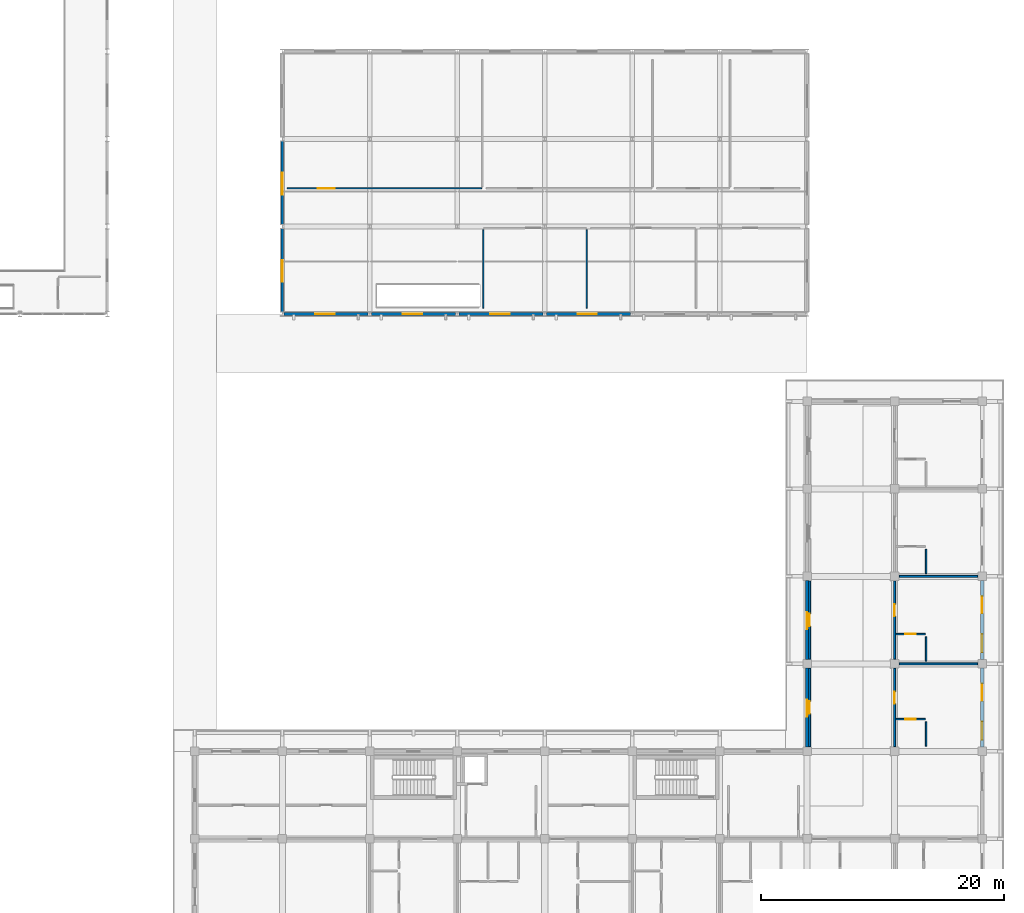
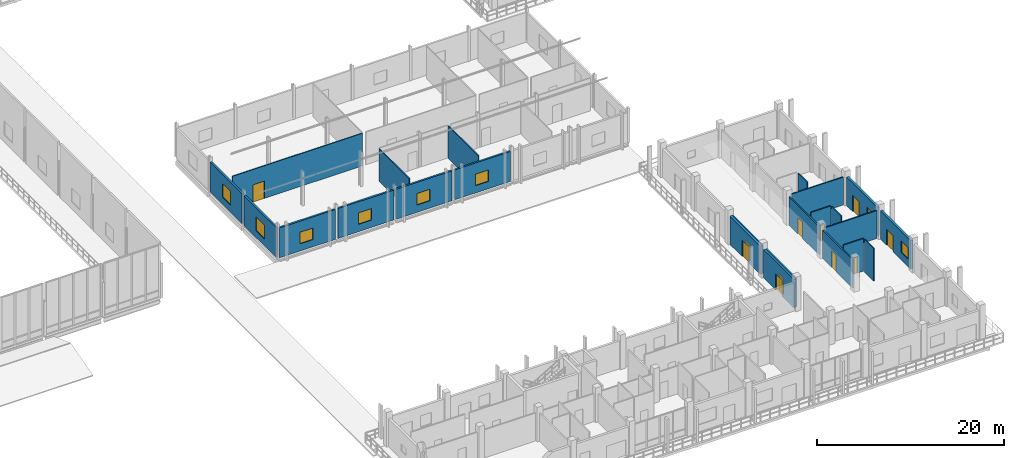
# One storey, part 84 of 110: 24 walls, 11 doors, 8 windows, 19 openings.
"""IFC4 building model written with IfcOpenShell, lengths in metres."""

from ifc_helpers import new_model, si_unit, direction, frame, frame_2d, origin, place, context, subcontext, project, spatial, rectangle, extrude, material, layer, layer_set, type_object, element, fill, save


model = new_model("IFC4")

# Units and contexts
model_context = context("Model", 3, precision=1e-05, world=origin(), true_north=direction((0.0, 1.0)))
body_context = subcontext(model_context, "Body", "Model", "MODEL_VIEW")
ifc_project = project(units=[si_unit("LENGTHUNIT", "METRE"), si_unit("AREAUNIT", "SQUARE_METRE"), si_unit("VOLUMEUNIT", "CUBIC_METRE"), si_unit("PLANEANGLEUNIT", "RADIAN"), si_unit("MASSUNIT", "GRAM", prefix="KILO")], contexts=[model_context])

# Site, building, storey
site_placement = place(None, origin())
site = spatial("IfcSite", under=ifc_project, at=site_placement, CompositionType="ELEMENT")
building_placement = place(site_placement, origin())
building = spatial("IfcBuilding", under=site, at=building_placement, Name="Suanplinth Sawtooth Commons", CompositionType="ELEMENT")
storey_placement = place(building_placement, frame((0.0, 0.0, 4.5)))
storey = spatial("IfcBuildingStorey", under=building, at=storey_placement, Name="L01", CompositionType="ELEMENT", Elevation=4.5)

# Wall, opening, door
ifc_material_1 = material(Name="Precast concrete C40/50", Category="concrete")
ifc_layer_1 = layer(ifc_material_1, 0.280029296875, Name="Insulated precast architectural facade wall 280mm")
ifc_layer_set_1 = layer_set([ifc_layer_1], Name="Precast concrete C40/50")
wall_type_1 = type_object("IfcWallType", Name="W-EX01", PredefinedType="ELEMENTEDWALL", material=ifc_layer_set_1)
wall_1_placement = place(storey_placement, frame((172.800048828125, 14.75, 0.0), z_axis=(0.0, 0.0, 1.0), x_axis=(0.0, 1.0, 0.0)))
wall_1 = element("IfcWall", 1, at=wall_1_placement, inside=storey, type_object=wall_type_1, Name="Facade Wall W-L01-C-W-24-2", PredefinedType="ELEMENTEDWALL", context=body_context, shape_type="SweptSolid", body=[
    extrude(rectangle(XDim=6.5, YDim=0.280029296875, at=frame_2d((3.25, 0.0))), origin(), (0.0, 0.0, 1.0), 3.68505859375),
])
opening_1_placement = place(wall_1_placement, frame((2.5, 0.0, 0.0)))
opening_1 = element("IfcOpeningElement", 2, at=opening_1_placement, cuts=wall_1, Name="Opening ED0097", PredefinedType="OPENING", context=body_context, shape_type="SweptSolid", body=[
    extrude(rectangle(XDim=1.39990234375, YDim=2.10009765625, at=frame_2d((0.699951171875, 1.050048828125))), frame((0.0, 0.15478515625, 0.0), z_axis=(0.0, -1.0, 0.0), x_axis=(1.0, 0.0, 0.0)), (0.0, 0.0, 1.0), 0.309814453125),
])
ifc_material_2 = material(Name="Anodized aluminium and low-E glass", Category="aluminium")
door_type_1 = type_object("IfcDoorType", Name="SD-07", OperationType="SLIDING_TO_RIGHT", PredefinedType="DOOR", material=ifc_material_2)
door_1_placement = place(opening_1_placement, frame((1.39990234375, 0.0, 0.0), z_axis=(0.0, 0.0, 1.0), x_axis=(-1.0, 0.0, 0.0)))
door_1 = element("IfcDoor", 3, at=door_1_placement, inside=storey, type_object=door_type_1, Name="Courtyard Veranda Studio Balcony Door L01-C-2", OperationType="SLIDING_TO_RIGHT", OverallHeight=2.10009765625, OverallWidth=1.39990234375, PredefinedType="DOOR", context=body_context, shape_type="SweptSolid", body=[
    extrude(rectangle(XDim=1.39990234375, YDim=2.10009765625, at=frame_2d((0.699951171875, 1.050048828125))), frame((0.0, 0.02490234375, 0.0), z_axis=(0.0, -1.0, 0.0), x_axis=(1.0, 0.0, 0.0)), (0.0, 0.0, 1.0), 0.050048828125),
])
fill(opening_1, door_1)

wall_2_placement = place(storey_placement, frame((172.800048828125, 21.949951171875, 0.0), z_axis=(0.0, 0.0, 1.0), x_axis=(0.0, 1.0, 0.0)))
wall_2 = element("IfcWall", 4, at=wall_2_placement, inside=storey, type_object=wall_type_1, Name="Facade Wall W-L01-C-W-24-3", PredefinedType="ELEMENTEDWALL", context=body_context, shape_type="SweptSolid", body=[
    extrude(rectangle(XDim=6.5, YDim=0.280029296875, at=frame_2d((3.25, 0.0))), origin(), (0.0, 0.0, 1.0), 3.68505859375),
])
opening_2_placement = place(wall_2_placement, frame((2.5, 0.0, 0.0)))
opening_2 = element("IfcOpeningElement", 5, at=opening_2_placement, cuts=wall_2, Name="Opening ED0098", PredefinedType="OPENING", context=body_context, shape_type="SweptSolid", body=[
    extrude(rectangle(XDim=1.39990234375, YDim=2.10009765625, at=frame_2d((0.699951171875, 1.050048828125))), frame((0.0, 0.15478515625, 0.0), z_axis=(0.0, -1.0, 0.0), x_axis=(1.0, 0.0, 0.0)), (0.0, 0.0, 1.0), 0.309814453125),
])
door_2_placement = place(opening_2_placement, frame((1.39990234375, 0.0, 0.0), z_axis=(0.0, 0.0, 1.0), x_axis=(-1.0, 0.0, 0.0)))
door_2 = element("IfcDoor", 6, at=door_2_placement, inside=storey, type_object=door_type_1, Name="Courtyard Veranda Studio Balcony Door L01-C-3", OperationType="SLIDING_TO_RIGHT", OverallHeight=2.10009765625, OverallWidth=1.39990234375, PredefinedType="DOOR", context=body_context, shape_type="SweptSolid", body=[
    extrude(rectangle(XDim=1.39990234375, YDim=2.10009765625, at=frame_2d((0.699951171875, 1.050048828125))), frame((0.0, 0.02490234375, 0.0), z_axis=(0.0, -1.0, 0.0), x_axis=(1.0, 0.0, 0.0)), (0.0, 0.0, 1.0), 0.050048828125),
])
fill(opening_2, door_2)

# Wall, openings, door, window
wall_3_placement = place(storey_placement, frame((187.199951171875, 14.75, 0.0), z_axis=(0.0, 0.0, 1.0), x_axis=(0.0, 1.0, 0.0)))
wall_3 = element("IfcWall", 7, at=wall_3_placement, inside=storey, type_object=wall_type_1, Name="Facade Wall W-L01-C-E-25-2", PredefinedType="ELEMENTEDWALL", context=body_context, shape_type="SweptSolid", body=[
    extrude(rectangle(XDim=6.5, YDim=0.280029296875, at=frame_2d((3.25, 0.0))), origin(), (0.0, 0.0, 1.0), 3.715087890625),
])
opening_3_placement = place(wall_3_placement, frame((3.800048828125, 0.0, 0.0)))
opening_3 = element("IfcOpeningElement", 8, at=opening_3_placement, cuts=wall_3, Name="Opening ED0104", PredefinedType="OPENING", context=body_context, shape_type="SweptSolid", body=[
    extrude(rectangle(XDim=1.39990234375, YDim=2.10009765625, at=frame_2d((0.699951171875, 1.050048828125))), frame((0.0, 0.15478515625, 0.0), z_axis=(0.0, -1.0, 0.0), x_axis=(1.0, 0.0, 0.0)), (0.0, 0.0, 1.0), 0.309814453125),
])
opening_4_placement = place(wall_3_placement, frame((0.60009765625, 0.0, 0.949951171875)))
opening_4 = element("IfcOpeningElement", 9, at=opening_4_placement, cuts=wall_3, Name="Opening W0226", PredefinedType="OPENING", context=body_context, shape_type="SweptSolid", body=[
    extrude(rectangle(XDim=1.5, YDim=1.5, at=frame_2d((0.75, 0.75))), frame((0.0, 0.15478515625, 0.0), z_axis=(0.0, -1.0, 0.0), x_axis=(1.0, 0.0, 0.0)), (0.0, 0.0, 1.0), 0.309814453125),
])
door_3_placement = place(opening_3_placement, frame((1.39990234375, 0.0, 0.0), z_axis=(0.0, 0.0, 1.0), x_axis=(-1.0, 0.0, 0.0)))
door_3 = element("IfcDoor", 10, at=door_3_placement, inside=storey, type_object=door_type_1, Name="Wing Balcony Sliding Door L01-C-2", OperationType="SLIDING_TO_RIGHT", OverallHeight=2.10009765625, OverallWidth=1.39990234375, PredefinedType="DOOR", context=body_context, shape_type="SweptSolid", body=[
    extrude(rectangle(XDim=1.39990234375, YDim=2.10009765625, at=frame_2d((0.699951171875, 1.050048828125))), frame((0.0, 0.02490234375, 0.0), z_axis=(0.0, -1.0, 0.0), x_axis=(1.0, 0.0, 0.0)), (0.0, 0.0, 1.0), 0.050048828125),
])
fill(opening_3, door_3)
ifc_material_3 = material(Name="Thermally broken aluminium and low-E double glazing", Category="aluminium")
window_type_1 = type_object("IfcWindowType", Name="WN-02", PartitioningType="DOUBLE_PANEL_VERTICAL", PredefinedType="WINDOW", material=ifc_material_3)
window_1_placement = place(opening_4_placement, origin())
window_1 = element("IfcWindow", 11, at=window_1_placement, inside=storey, type_object=window_type_1, Name="Wing Window L01-C-2", OverallHeight=1.5, OverallWidth=1.5, PartitioningType="DOUBLE_PANEL_VERTICAL", PredefinedType="WINDOW", context=body_context, shape_type="SweptSolid", body=[
    extrude(rectangle(XDim=1.5, YDim=1.5, at=frame_2d((0.75, 0.75))), frame((0.0, 0.030029296875, 0.0), z_axis=(0.0, -1.0, 0.0), x_axis=(1.0, 0.0, 0.0)), (0.0, 0.0, 1.0), 0.06005859375),
])
fill(opening_4, window_1)

wall_4_placement = place(storey_placement, frame((187.199951171875, 21.949951171875, 0.0), z_axis=(0.0, 0.0, 1.0), x_axis=(0.0, 1.0, 0.0)))
wall_4 = element("IfcWall", 12, at=wall_4_placement, inside=storey, type_object=wall_type_1, Name="Facade Wall W-L01-C-E-25-3", PredefinedType="ELEMENTEDWALL", context=body_context, shape_type="SweptSolid", body=[
    extrude(rectangle(XDim=6.5, YDim=0.280029296875, at=frame_2d((3.25, 0.0))), origin(), (0.0, 0.0, 1.0), 3.715087890625),
])
opening_5_placement = place(wall_4_placement, frame((3.800048828125, 0.0, 0.0)))
opening_5 = element("IfcOpeningElement", 13, at=opening_5_placement, cuts=wall_4, Name="Opening ED0105", PredefinedType="OPENING", context=body_context, shape_type="SweptSolid", body=[
    extrude(rectangle(XDim=1.39990234375, YDim=2.10009765625, at=frame_2d((0.699951171875, 1.050048828125))), frame((0.0, 0.15478515625, 0.0), z_axis=(0.0, -1.0, 0.0), x_axis=(1.0, 0.0, 0.0)), (0.0, 0.0, 1.0), 0.309814453125),
])
opening_6_placement = place(wall_4_placement, frame((0.60009765625, 0.0, 0.949951171875)))
opening_6 = element("IfcOpeningElement", 14, at=opening_6_placement, cuts=wall_4, Name="Opening W0227", PredefinedType="OPENING", context=body_context, shape_type="SweptSolid", body=[
    extrude(rectangle(XDim=1.5, YDim=1.5, at=frame_2d((0.75, 0.75))), frame((0.0, 0.15478515625, 0.0), z_axis=(0.0, -1.0, 0.0), x_axis=(1.0, 0.0, 0.0)), (0.0, 0.0, 1.0), 0.309814453125),
])
door_4_placement = place(opening_5_placement, frame((1.39990234375, 0.0, 0.0), z_axis=(0.0, 0.0, 1.0), x_axis=(-1.0, 0.0, 0.0)))
door_4 = element("IfcDoor", 15, at=door_4_placement, inside=storey, type_object=door_type_1, Name="Wing Balcony Sliding Door L01-C-3", OperationType="SLIDING_TO_RIGHT", OverallHeight=2.10009765625, OverallWidth=1.39990234375, PredefinedType="DOOR", context=body_context, shape_type="SweptSolid", body=[
    extrude(rectangle(XDim=1.39990234375, YDim=2.10009765625, at=frame_2d((0.699951171875, 1.050048828125))), frame((0.0, 0.02490234375, 0.0), z_axis=(0.0, -1.0, 0.0), x_axis=(1.0, 0.0, 0.0)), (0.0, 0.0, 1.0), 0.050048828125),
])
fill(opening_5, door_4)
window_2_placement = place(opening_6_placement, origin())
window_2 = element("IfcWindow", 16, at=window_2_placement, inside=storey, type_object=window_type_1, Name="Wing Window L01-C-3", OverallHeight=1.5, OverallWidth=1.5, PartitioningType="DOUBLE_PANEL_VERTICAL", PredefinedType="WINDOW", context=body_context, shape_type="SweptSolid", body=[
    extrude(rectangle(XDim=1.5, YDim=1.5, at=frame_2d((0.75, 0.75))), frame((0.0, 0.030029296875, 0.0), z_axis=(0.0, -1.0, 0.0), x_axis=(1.0, 0.0, 0.0)), (0.0, 0.0, 1.0), 0.06005859375),
])
fill(opening_6, window_2)

# Wall, opening, window
ifc_layer_2 = layer(ifc_material_1, 0.219970703125, Name="Civic pavilion insulated facade wall 220mm")
ifc_layer_set_2 = layer_set([ifc_layer_2], Name="Precast concrete C40/50")
wall_type_2 = type_object("IfcWallType", Name="W-EX05", PredefinedType="ELEMENTEDWALL", material=ifc_layer_set_2)
wall_5_placement = place(storey_placement, frame((129.75, 50.39990234375, 0.0), z_axis=(0.0, 0.0, 1.0), x_axis=(1.0, 0.0, 0.0)))
wall_5 = element("IfcWall", 17, at=wall_5_placement, inside=storey, type_object=wall_type_2, Name="Clinic S Wall L01-18", PredefinedType="ELEMENTEDWALL", context=body_context, shape_type="SweptSolid", body=[
    extrude(rectangle(XDim=6.89990234375, YDim=0.219970703125, at=frame_2d((3.449951171875, 0.0))), origin(), (0.0, 0.0, 1.0), 3.89990234375),
])
opening_7_placement = place(wall_5_placement, frame((2.550048828125, 0.0, 0.949951171875)))
opening_7 = element("IfcOpeningElement", 18, at=opening_7_placement, cuts=wall_5, Name="Opening W0027", PredefinedType="OPENING", context=body_context, shape_type="SweptSolid", body=[
    extrude(rectangle(XDim=1.60009765625, YDim=1.5, at=frame_2d((0.800048828125, 0.75))), frame((0.0, 0.125, 0.0), z_axis=(0.0, -1.0, 0.0), x_axis=(1.0, 0.0, 0.0)), (0.0, 0.0, 1.0), 0.249755859375),
])
window_type_2 = type_object("IfcWindowType", Name="WN-08", PartitioningType="DOUBLE_PANEL_VERTICAL", PredefinedType="WINDOW", material=ifc_material_3)
window_3_placement = place(opening_7_placement, origin())
window_3 = element("IfcWindow", 19, at=window_3_placement, inside=storey, type_object=window_type_2, Name="Clinic Window S-18", OverallHeight=1.5, OverallWidth=1.60009765625, PartitioningType="DOUBLE_PANEL_VERTICAL", PredefinedType="WINDOW", context=body_context, shape_type="SweptSolid", body=[
    extrude(rectangle(XDim=1.60009765625, YDim=1.5, at=frame_2d((0.800048828125, 0.75))), frame((0.0, 0.030029296875, 0.0), z_axis=(0.0, -1.0, 0.0), x_axis=(1.0, 0.0, 0.0)), (0.0, 0.0, 1.0), 0.06005859375),
])
fill(opening_7, window_3)

wall_6_placement = place(storey_placement, frame((136.949951171875, 50.39990234375, 0.0), z_axis=(0.0, 0.0, 1.0), x_axis=(1.0, 0.0, 0.0)))
wall_6 = element("IfcWall", 20, at=wall_6_placement, inside=storey, type_object=wall_type_2, Name="Clinic S Wall L01-19", PredefinedType="ELEMENTEDWALL", context=body_context, shape_type="SweptSolid", body=[
    extrude(rectangle(XDim=6.900146484375, YDim=0.219970703125, at=frame_2d((3.4501953125, 0.0))), origin(), (0.0, 0.0, 1.0), 3.89990234375),
])
opening_8_placement = place(wall_6_placement, frame((2.550048828125, 0.0, 0.949951171875)))
opening_8 = element("IfcOpeningElement", 21, at=opening_8_placement, cuts=wall_6, Name="Opening W0029", PredefinedType="OPENING", context=body_context, shape_type="SweptSolid", body=[
    extrude(rectangle(XDim=1.60009765625, YDim=1.5, at=frame_2d((0.800048828125, 0.75))), frame((0.0, 0.125, 0.0), z_axis=(0.0, -1.0, 0.0), x_axis=(1.0, 0.0, 0.0)), (0.0, 0.0, 1.0), 0.249755859375),
])
window_4_placement = place(opening_8_placement, origin())
window_4 = element("IfcWindow", 22, at=window_4_placement, inside=storey, type_object=window_type_2, Name="Clinic Window S-19", OverallHeight=1.5, OverallWidth=1.60009765625, PartitioningType="DOUBLE_PANEL_VERTICAL", PredefinedType="WINDOW", context=body_context, shape_type="SweptSolid", body=[
    extrude(rectangle(XDim=1.60009765625, YDim=1.5, at=frame_2d((0.800048828125, 0.75))), frame((0.0, 0.030029296875, 0.0), z_axis=(0.0, -1.0, 0.0), x_axis=(1.0, 0.0, 0.0)), (0.0, 0.0, 1.0), 0.06005859375),
])
fill(opening_8, window_4)

wall_7_placement = place(storey_placement, frame((144.14990234375, 50.39990234375, 0.0), z_axis=(0.0, 0.0, 1.0), x_axis=(1.0, 0.0, 0.0)))
wall_7 = element("IfcWall", 23, at=wall_7_placement, inside=storey, type_object=wall_type_2, Name="Clinic S Wall L01-20", PredefinedType="ELEMENTEDWALL", context=body_context, shape_type="SweptSolid", body=[
    extrude(rectangle(XDim=6.900146484375, YDim=0.219970703125, at=frame_2d((3.4501953125, 0.0))), origin(), (0.0, 0.0, 1.0), 3.89990234375),
])
opening_9_placement = place(wall_7_placement, frame((2.550048828125, 0.0, 0.949951171875)))
opening_9 = element("IfcOpeningElement", 24, at=opening_9_placement, cuts=wall_7, Name="Opening W0032", PredefinedType="OPENING", context=body_context, shape_type="SweptSolid", body=[
    extrude(rectangle(XDim=1.60009765625, YDim=1.5, at=frame_2d((0.800048828125, 0.75))), frame((0.0, 0.125, 0.0), z_axis=(0.0, -1.0, 0.0), x_axis=(1.0, 0.0, 0.0)), (0.0, 0.0, 1.0), 0.249755859375),
])
window_5_placement = place(opening_9_placement, origin())
window_5 = element("IfcWindow", 25, at=window_5_placement, inside=storey, type_object=window_type_2, Name="Clinic Window S-20", OverallHeight=1.5, OverallWidth=1.60009765625, PartitioningType="DOUBLE_PANEL_VERTICAL", PredefinedType="WINDOW", context=body_context, shape_type="SweptSolid", body=[
    extrude(rectangle(XDim=1.60009765625, YDim=1.5, at=frame_2d((0.800048828125, 0.75))), frame((0.0, 0.030029296875, 0.0), z_axis=(0.0, -1.0, 0.0), x_axis=(1.0, 0.0, 0.0)), (0.0, 0.0, 1.0), 0.06005859375),
])
fill(opening_9, window_5)

wall_8_placement = place(storey_placement, frame((151.35009765625, 50.39990234375, 0.0), z_axis=(0.0, 0.0, 1.0), x_axis=(1.0, 0.0, 0.0)))
wall_8 = element("IfcWall", 26, at=wall_8_placement, inside=storey, type_object=wall_type_2, Name="Clinic S Wall L01-21", PredefinedType="ELEMENTEDWALL", context=body_context, shape_type="SweptSolid", body=[
    extrude(rectangle(XDim=6.89990234375, YDim=0.219970703125, at=frame_2d((3.449951171875, 0.0))), origin(), (0.0, 0.0, 1.0), 3.89990234375),
])
opening_10_placement = place(wall_8_placement, frame((2.550048828125, 0.0, 0.949951171875)))
opening_10 = element("IfcOpeningElement", 27, at=opening_10_placement, cuts=wall_8, Name="Opening W0035", PredefinedType="OPENING", context=body_context, shape_type="SweptSolid", body=[
    extrude(rectangle(XDim=1.60009765625, YDim=1.5, at=frame_2d((0.800048828125, 0.75))), frame((0.0, 0.125, 0.0), z_axis=(0.0, -1.0, 0.0), x_axis=(1.0, 0.0, 0.0)), (0.0, 0.0, 1.0), 0.249755859375),
])
window_6_placement = place(opening_10_placement, origin())
window_6 = element("IfcWindow", 28, at=window_6_placement, inside=storey, type_object=window_type_2, Name="Clinic Window S-21", OverallHeight=1.5, OverallWidth=1.60009765625, PartitioningType="DOUBLE_PANEL_VERTICAL", PredefinedType="WINDOW", context=body_context, shape_type="SweptSolid", body=[
    extrude(rectangle(XDim=1.60009765625, YDim=1.5, at=frame_2d((0.800048828125, 0.75))), frame((0.0, 0.030029296875, 0.0), z_axis=(0.0, -1.0, 0.0), x_axis=(1.0, 0.0, 0.0)), (0.0, 0.0, 1.0), 0.06005859375),
])
fill(opening_10, window_6)

wall_9_placement = place(storey_placement, frame((129.60009765625, 50.580078125, 0.0), z_axis=(0.0, 0.0, 1.0), x_axis=(0.0, 1.0, 0.0)))
wall_9 = element("IfcWall", 29, at=wall_9_placement, inside=storey, type_object=wall_type_2, Name="Nursery W Wall L01-7", PredefinedType="ELEMENTEDWALL", context=body_context, shape_type="SweptSolid", body=[
    extrude(rectangle(XDim=6.83984375, YDim=0.219970703125, at=frame_2d((3.419921875, 0.0))), origin(), (0.0, 0.0, 1.0), 3.89990234375),
])
opening_11_placement = place(wall_9_placement, frame((2.449951171875, 0.0, 0.89990234375)))
opening_11 = element("IfcOpeningElement", 30, at=opening_11_placement, cuts=wall_9, Name="Opening W0043", PredefinedType="OPENING", context=body_context, shape_type="SweptSolid", body=[
    extrude(rectangle(XDim=1.800048828125, YDim=1.800048828125, at=frame_2d((0.89990234375, 0.89990234375))), frame((0.0, 0.125, 0.0), z_axis=(0.0, -1.0, 0.0), x_axis=(1.0, 0.0, 0.0)), (0.0, 0.0, 1.0), 0.249755859375),
])
window_type_3 = type_object("IfcWindowType", Name="WN-07", PartitioningType="DOUBLE_PANEL_VERTICAL", PredefinedType="WINDOW", material=ifc_material_3)
window_7_placement = place(opening_11_placement, origin())
window_7 = element("IfcWindow", 31, at=window_7_placement, inside=storey, type_object=window_type_3, Name="Nursery W Window L01-7", OverallHeight=1.800048828125, OverallWidth=1.800048828125, PartitioningType="DOUBLE_PANEL_VERTICAL", PredefinedType="WINDOW", context=body_context, shape_type="SweptSolid", body=[
    extrude(rectangle(XDim=1.800048828125, YDim=1.800048828125, at=frame_2d((0.89990234375, 0.89990234375))), frame((0.0, 0.030029296875, 0.0), z_axis=(0.0, -1.0, 0.0), x_axis=(1.0, 0.0, 0.0)), (0.0, 0.0, 1.0), 0.06005859375),
])
fill(opening_11, window_7)

wall_10_placement = place(storey_placement, frame((129.60009765625, 57.780029296875, 0.0), z_axis=(0.0, 0.0, 1.0), x_axis=(0.0, 1.0, 0.0)))
wall_10 = element("IfcWall", 32, at=wall_10_placement, inside=storey, type_object=wall_type_2, Name="Nursery W Wall L01-8", PredefinedType="ELEMENTEDWALL", context=body_context, shape_type="SweptSolid", body=[
    extrude(rectangle(XDim=6.840087890625, YDim=0.219970703125, at=frame_2d((3.419921875, 0.0))), origin(), (0.0, 0.0, 1.0), 3.89990234375),
])
opening_12_placement = place(wall_10_placement, frame((2.449951171875, 0.0, 0.89990234375)))
opening_12 = element("IfcOpeningElement", 33, at=opening_12_placement, cuts=wall_10, Name="Opening W0047", PredefinedType="OPENING", context=body_context, shape_type="SweptSolid", body=[
    extrude(rectangle(XDim=1.800048828125, YDim=1.800048828125, at=frame_2d((0.89990234375, 0.89990234375))), frame((0.0, 0.125, 0.0), z_axis=(0.0, -1.0, 0.0), x_axis=(1.0, 0.0, 0.0)), (0.0, 0.0, 1.0), 0.249755859375),
])
window_8_placement = place(opening_12_placement, origin())
window_8 = element("IfcWindow", 34, at=window_8_placement, inside=storey, type_object=window_type_3, Name="Nursery W Window L01-8", OverallHeight=1.800048828125, OverallWidth=1.800048828125, PartitioningType="DOUBLE_PANEL_VERTICAL", PredefinedType="WINDOW", context=body_context, shape_type="SweptSolid", body=[
    extrude(rectangle(XDim=1.800048828125, YDim=1.800048828125, at=frame_2d((0.89990234375, 0.89990234375))), frame((0.0, 0.030029296875, 0.0), z_axis=(0.0, -1.0, 0.0), x_axis=(1.0, 0.0, 0.0)), (0.0, 0.0, 1.0), 0.06005859375),
])
fill(opening_12, window_8)

# Wall, opening, door
ifc_layer_3 = layer(ifc_material_1, 0.159912109375, Name="Fire-rated corridor and lobby wall 160mm")
ifc_layer_set_3 = layer_set([ifc_layer_3], Name="Precast concrete C40/50")
wall_type_3 = type_object("IfcWallType", Name="W-FW01", PredefinedType="PARTITIONING", material=ifc_layer_set_3)
wall_11_placement = place(storey_placement, frame((180.0, 14.780029296875, 0.0), z_axis=(0.0, 0.0, 1.0), x_axis=(0.0, 1.0, 0.0)))
wall_11 = element("IfcWall", 35, at=wall_11_placement, inside=storey, type_object=wall_type_3, Name="W-C-L01-L01-COR", PredefinedType="PARTITIONING", context=body_context, shape_type="SweptSolid", body=[
    extrude(rectangle(XDim=6.43994140625, YDim=0.159912109375, at=frame_2d((3.219970703125, 0.0))), origin(), (0.0, 0.0, 1.0), 3.68505859375),
])
opening_13_placement = place(wall_11_placement, frame((3.52001953125, 0.0, 0.0)))
opening_13 = element("IfcOpeningElement", 36, at=opening_13_placement, cuts=wall_11, Name="Opening FD0639", PredefinedType="OPENING", context=body_context, shape_type="SweptSolid", body=[
    extrude(rectangle(XDim=1.0, YDim=2.14990234375, at=frame_2d((0.5, 1.074951171875))), frame((0.0, 0.0947265625, 0.0), z_axis=(0.0, -1.0, 0.0), x_axis=(1.0, 0.0, 0.0)), (0.0, 0.0, 1.0), 0.189697265625),
])
ifc_material_4 = material(Name="Teak hardwood fire-rated door assembly", Category="wood")
door_type_2 = type_object("IfcDoorType", Name="FD-03", OperationType="NOTDEFINED", PredefinedType="DOOR", material=ifc_material_4)
door_5_placement = place(opening_13_placement, frame((1.0, 0.0, 0.0), z_axis=(0.0, 0.0, 1.0), x_axis=(-1.0, 0.0, 0.0)))
door_5 = element("IfcDoor", 37, at=door_5_placement, inside=storey, type_object=door_type_2, Name="Wing Unit Entrance Door FD0639", OperationType="SINGLE_SWING_LEFT", OverallHeight=2.14990234375, OverallWidth=1.0, PredefinedType="DOOR", context=body_context, shape_type="SweptSolid", body=[
    extrude(rectangle(XDim=1.0, YDim=2.14990234375, at=frame_2d((0.5, 1.074951171875))), frame((0.0, 0.02490234375, 0.0), z_axis=(0.0, -1.0, 0.0), x_axis=(1.0, 0.0, 0.0)), (0.0, 0.0, 1.0), 0.050048828125),
])
fill(opening_13, door_5)

wall_12_placement = place(storey_placement, frame((173.0, 14.780029296875, 0.0), z_axis=(0.0, 0.0, 1.0), x_axis=(0.0, 1.0, 0.0)))
wall_12 = element("IfcWall", 38, at=wall_12_placement, inside=storey, type_object=wall_type_3, Name="W-C-L01-LEGCOURTROOM-52-COR", PredefinedType="PARTITIONING", context=body_context, shape_type="SweptSolid", body=[
    extrude(rectangle(XDim=6.43994140625, YDim=0.159912109375, at=frame_2d((3.219970703125, 0.0))), origin(), (0.0, 0.0, 1.0), 3.68505859375),
])
opening_14_placement = place(wall_12_placement, frame((2.7099609375, 0.0, 0.0)))
opening_14 = element("IfcOpeningElement", 39, at=opening_14_placement, cuts=wall_12, Name="Opening D0641", PredefinedType="OPENING", context=body_context, shape_type="SweptSolid", body=[
    extrude(rectangle(XDim=1.02001953125, YDim=2.179931640625, at=frame_2d((0.510009765625, 1.08984375))), frame((0.0, 0.0947265625, 0.0), z_axis=(0.0, -1.0, 0.0), x_axis=(1.0, 0.0, 0.0)), (0.0, 0.0, 1.0), 0.189697265625),
])
ifc_material_5 = material(Name="Teak hardwood", Category="wood")
door_type_3 = type_object("IfcDoorType", Name="D-16", OperationType="NOTDEFINED", PredefinedType="DOOR", material=ifc_material_5)
door_6_placement = place(opening_14_placement, origin())
door_6 = element("IfcDoor", 40, at=door_6_placement, inside=storey, type_object=door_type_3, Name="Veranda Studio Door D0641", OperationType="SINGLE_SWING_LEFT", OverallHeight=2.179931640625, OverallWidth=1.02001953125, PredefinedType="DOOR", context=body_context, shape_type="SweptSolid", body=[
    extrude(rectangle(XDim=1.02001953125, YDim=2.179931640625, at=frame_2d((0.510009765625, 1.08984375))), frame((0.0, 0.02490234375, 0.0), z_axis=(0.0, -1.0, 0.0), x_axis=(1.0, 0.0, 0.0)), (0.0, 0.0, 1.0), 0.050048828125),
])
fill(opening_14, door_6)

wall_13_placement = place(storey_placement, frame((180.0, 21.97998046875, 0.0), z_axis=(0.0, 0.0, 1.0), x_axis=(0.0, 1.0, 0.0)))
wall_13 = element("IfcWall", 41, at=wall_13_placement, inside=storey, type_object=wall_type_3, Name="W-C-L01-L02-COR", PredefinedType="PARTITIONING", context=body_context, shape_type="SweptSolid", body=[
    extrude(rectangle(XDim=6.43994140625, YDim=0.159912109375, at=frame_2d((3.219970703125, 0.0))), origin(), (0.0, 0.0, 1.0), 3.68505859375),
])
opening_15_placement = place(wall_13_placement, frame((3.52001953125, 0.0, 0.0)))
opening_15 = element("IfcOpeningElement", 42, at=opening_15_placement, cuts=wall_13, Name="Opening FD0642", PredefinedType="OPENING", context=body_context, shape_type="SweptSolid", body=[
    extrude(rectangle(XDim=1.0, YDim=2.14990234375, at=frame_2d((0.5, 1.074951171875))), frame((0.0, 0.0947265625, 0.0), z_axis=(0.0, -1.0, 0.0), x_axis=(1.0, 0.0, 0.0)), (0.0, 0.0, 1.0), 0.189697265625),
])
door_7_placement = place(opening_15_placement, frame((1.0, 0.0, 0.0), z_axis=(0.0, 0.0, 1.0), x_axis=(-1.0, 0.0, 0.0)))
door_7 = element("IfcDoor", 43, at=door_7_placement, inside=storey, type_object=door_type_2, Name="Wing Unit Entrance Door FD0642", OperationType="SINGLE_SWING_RIGHT", OverallHeight=2.14990234375, OverallWidth=1.0, PredefinedType="DOOR", context=body_context, shape_type="SweptSolid", body=[
    extrude(rectangle(XDim=1.0, YDim=2.14990234375, at=frame_2d((0.5, 1.074951171875))), frame((0.0, 0.02490234375, 0.0), z_axis=(0.0, -1.0, 0.0), x_axis=(1.0, 0.0, 0.0)), (0.0, 0.0, 1.0), 0.050048828125),
])
fill(opening_15, door_7)

wall_14_placement = place(storey_placement, frame((173.0, 21.97998046875, 0.0), z_axis=(0.0, 0.0, 1.0), x_axis=(0.0, 1.0, 0.0)))
wall_14 = element("IfcWall", 44, at=wall_14_placement, inside=storey, type_object=wall_type_3, Name="W-C-L01-LEGCOURTROOM-54-COR", PredefinedType="PARTITIONING", context=body_context, shape_type="SweptSolid", body=[
    extrude(rectangle(XDim=6.43994140625, YDim=0.159912109375, at=frame_2d((3.219970703125, 0.0))), origin(), (0.0, 0.0, 1.0), 3.68505859375),
])
opening_16_placement = place(wall_14_placement, frame((2.7099609375, 0.0, 0.0)))
opening_16 = element("IfcOpeningElement", 45, at=opening_16_placement, cuts=wall_14, Name="Opening D0644", PredefinedType="OPENING", context=body_context, shape_type="SweptSolid", body=[
    extrude(rectangle(XDim=1.02001953125, YDim=2.179931640625, at=frame_2d((0.510009765625, 1.08984375))), frame((0.0, 0.0947265625, 0.0), z_axis=(0.0, -1.0, 0.0), x_axis=(1.0, 0.0, 0.0)), (0.0, 0.0, 1.0), 0.189697265625),
])
door_8_placement = place(opening_16_placement, origin())
door_8 = element("IfcDoor", 46, at=door_8_placement, inside=storey, type_object=door_type_3, Name="Veranda Studio Door D0644", OperationType="SINGLE_SWING_RIGHT", OverallHeight=2.179931640625, OverallWidth=1.02001953125, PredefinedType="DOOR", context=body_context, shape_type="SweptSolid", body=[
    extrude(rectangle(XDim=1.02001953125, YDim=2.179931640625, at=frame_2d((0.510009765625, 1.08984375))), frame((0.0, 0.02490234375, 0.0), z_axis=(0.0, -1.0, 0.0), x_axis=(1.0, 0.0, 0.0)), (0.0, 0.0, 1.0), 0.050048828125),
])
fill(opening_16, door_8)

# Walls
ifc_layer_4 = layer(ifc_material_1, 0.14990234375, Name="Acoustic precast party demising wall 150mm")
ifc_layer_set_4 = layer_set([ifc_layer_4], Name="Precast concrete C40/50")
wall_type_4 = type_object("IfcWallType", Name="W-FW02", PredefinedType="PARTITIONING", material=ifc_layer_set_4)
for number, where, z_axis, x_axis, name in (
    (47, (180.3798828125, 21.60009765625, 0.0), (0.0, 0.0, 1.0), (1.0, 0.0, 0.0), "W-C-L01-L01-PTY"),
    (48, (180.3798828125, 28.800048828125, 0.0), (0.0, 0.0, 1.0), (1.0, 0.0, 0.0), "W-C-L01-L02-PTY"),
):
    element("IfcWall", number, at=place(storey_placement, frame(where, z_axis=z_axis, x_axis=x_axis)), inside=storey, type_object=wall_type_4, Name=name, PredefinedType="PARTITIONING", context=body_context, shape_type="SweptSolid", body=[
        extrude(rectangle(XDim=6.440185546875, YDim=0.14990234375, at=frame_2d((3.22021484375, 0.0))), origin(), (0.0, 0.0, 1.0), 3.635009765625),
    ])

# Wall, opening, door
ifc_material_6 = material(Name="Gypsum plasterboard on steel stud", Category="steel")
ifc_layer_5 = layer(ifc_material_6, 0.1298828125, Name="Moisture-resistant bathroom partition 130mm")
ifc_layer_set_5 = layer_set([ifc_layer_5], Name="Gypsum plasterboard on steel stud")
wall_type_5 = type_object("IfcWallType", Name="W-PT02", PredefinedType="PARTITIONING", material=ifc_layer_set_5)
wall_15_placement = place(storey_placement, frame((180.080078125, 17.044921875, 0.0), z_axis=(0.0, 0.0, 1.0), x_axis=(1.0, 0.0, 0.0)))
wall_15 = element("IfcWall", 49, at=wall_15_placement, inside=storey, type_object=wall_type_5, Name="W-C-L01-L01-BTH1", PredefinedType="PARTITIONING", context=body_context, shape_type="SweptSolid", body=[
    extrude(rectangle(XDim=2.449951171875, YDim=0.1298828125, at=frame_2d((1.22509765625, 0.0))), origin(), (0.0, 0.0, 1.0), 4.25),
])
opening_17_placement = place(wall_15_placement, frame((0.77490234375, 0.0, 0.0)))
opening_17 = element("IfcOpeningElement", 50, at=opening_17_placement, cuts=wall_15, Name="Opening D0640", PredefinedType="OPENING", context=body_context, shape_type="SweptSolid", body=[
    extrude(rectangle(XDim=0.89990234375, YDim=2.10009765625, at=frame_2d((0.449951171875, 1.050048828125))), frame((0.0, 0.079833984375, 0.0), z_axis=(0.0, -1.0, 0.0), x_axis=(1.0, 0.0, 0.0)), (0.0, 0.0, 1.0), 0.15966796875),
])
door_type_4 = type_object("IfcDoorType", Name="D-01", OperationType="NOTDEFINED", PredefinedType="DOOR", material=ifc_material_5)
door_9_placement = place(opening_17_placement, frame((0.89990234375, 0.0, 0.0), z_axis=(0.0, 0.0, 1.0), x_axis=(-1.0, 0.0, 0.0)))
door_9 = element("IfcDoor", 51, at=door_9_placement, inside=storey, type_object=door_type_4, Name="Bathroom Door D0640", OperationType="SINGLE_SWING_RIGHT", OverallHeight=2.10009765625, OverallWidth=0.89990234375, PredefinedType="DOOR", context=body_context, shape_type="SweptSolid", body=[
    extrude(rectangle(XDim=0.89990234375, YDim=2.10009765625, at=frame_2d((0.449951171875, 1.050048828125))), frame((0.0, 0.02490234375, 0.0), z_axis=(0.0, -1.0, 0.0), x_axis=(1.0, 0.0, 0.0)), (0.0, 0.0, 1.0), 0.050048828125),
])
fill(opening_17, door_9)

# Wall
wall_16_placement = place(storey_placement, frame((182.594970703125, 14.830078125, 0.0), z_axis=(0.0, 0.0, 1.0), x_axis=(0.0, 1.0, 0.0)))
element("IfcWall", 52, at=wall_16_placement, inside=storey, type_object=wall_type_5, Name="W-C-L01-L01-BTH2", PredefinedType="PARTITIONING", context=body_context, shape_type="SweptSolid", body=[
    extrude(rectangle(XDim=2.0, YDim=0.1298828125, at=frame_2d((1.0, 0.0))), origin(), (0.0, 0.0, 1.0), 4.25),
])

# Wall, opening, door
wall_17_placement = place(storey_placement, frame((180.080078125, 24.044921875, 0.0), z_axis=(0.0, 0.0, 1.0), x_axis=(1.0, 0.0, 0.0)))
wall_17 = element("IfcWall", 53, at=wall_17_placement, inside=storey, type_object=wall_type_5, Name="W-C-L01-L02-BTH1", PredefinedType="PARTITIONING", context=body_context, shape_type="SweptSolid", body=[
    extrude(rectangle(XDim=2.449951171875, YDim=0.1298828125, at=frame_2d((1.22509765625, 0.0))), origin(), (0.0, 0.0, 1.0), 4.25),
])
opening_18_placement = place(wall_17_placement, frame((0.77490234375, 0.0, 0.0)))
opening_18 = element("IfcOpeningElement", 54, at=opening_18_placement, cuts=wall_17, Name="Opening D0643", PredefinedType="OPENING", context=body_context, shape_type="SweptSolid", body=[
    extrude(rectangle(XDim=0.89990234375, YDim=2.10009765625, at=frame_2d((0.449951171875, 1.050048828125))), frame((0.0, 0.079833984375, 0.0), z_axis=(0.0, -1.0, 0.0), x_axis=(1.0, 0.0, 0.0)), (0.0, 0.0, 1.0), 0.15966796875),
])
door_10_placement = place(opening_18_placement, frame((0.89990234375, 0.0, 0.0), z_axis=(0.0, 0.0, 1.0), x_axis=(-1.0, 0.0, 0.0)))
door_10 = element("IfcDoor", 55, at=door_10_placement, inside=storey, type_object=door_type_4, Name="Bathroom Door D0643", OperationType="SINGLE_SWING_LEFT", OverallHeight=2.10009765625, OverallWidth=0.89990234375, PredefinedType="DOOR", context=body_context, shape_type="SweptSolid", body=[
    extrude(rectangle(XDim=0.89990234375, YDim=2.10009765625, at=frame_2d((0.449951171875, 1.050048828125))), frame((0.0, 0.02490234375, 0.0), z_axis=(0.0, -1.0, 0.0), x_axis=(1.0, 0.0, 0.0)), (0.0, 0.0, 1.0), 0.050048828125),
])
fill(opening_18, door_10)

# Walls
for number, where, z_axis, x_axis, name in (
    (56, (182.594970703125, 21.830078125, 0.0), (0.0, 0.0, 1.0), (0.0, 1.0, 0.0), "W-C-L01-L02-BTH2"),
    (57, (182.594970703125, 29.030029296875, 0.0), (0.0, 0.0, 1.0), (0.0, 1.0, 0.0), "W-C-L01-L03-BTH2"),
):
    element("IfcWall", number, at=place(storey_placement, frame(where, z_axis=z_axis, x_axis=x_axis)), inside=storey, type_object=wall_type_5, Name=name, PredefinedType="PARTITIONING", context=body_context, shape_type="SweptSolid", body=[
        extrude(rectangle(XDim=2.0, YDim=0.1298828125, at=frame_2d((1.0, 0.0))), origin(), (0.0, 0.0, 1.0), 4.25),
    ])
ifc_layer_6 = layer(ifc_material_6, 0.110107421875, Name="Civic classroom and clinic partition 110mm")
ifc_layer_set_6 = layer_set([ifc_layer_6], Name="Gypsum plasterboard on steel stud")
wall_type_6 = type_object("IfcWallType", Name="W-PT04", PredefinedType="PARTITIONING", material=ifc_layer_set_6)
for number, where, z_axis, x_axis, name in (
    (58, (146.139892578125, 50.8798828125, 0.0), (0.0, 0.0, 1.0), (0.0, 1.0, 0.0), "W-L01-CLIN-CONS1-W"),
    (59, (154.659912109375, 50.8798828125, 0.0), (0.0, 0.0, 1.0), (0.0, 1.0, 0.0), "W-L01-CLIN-CONS1-E"),
):
    element("IfcWall", number, at=place(storey_placement, frame(where, z_axis=z_axis, x_axis=x_axis)), inside=storey, type_object=wall_type_6, Name=name, PredefinedType="PARTITIONING", context=body_context, shape_type="SweptSolid", body=[
        extrude(rectangle(XDim=6.440185546875, YDim=0.110107421875, at=frame_2d((3.22021484375, 0.0))), origin(), (0.0, 0.0, 1.0), 4.25),
    ])

# Wall, opening, door
wall_18_placement = place(storey_placement, frame((130.0, 60.739990234375, 0.0), z_axis=(0.0, 0.0, 1.0), x_axis=(1.0, 0.0, 0.0)))
wall_18 = element("IfcWall", 60, at=wall_18_placement, inside=storey, type_object=wall_type_6, Name="W-L01-CLIN-YOGA-S", PredefinedType="PARTITIONING", context=body_context, shape_type="SweptSolid", body=[
    extrude(rectangle(XDim=16.0, YDim=0.110107421875, at=frame_2d((8.0, 0.0))), origin(), (0.0, 0.0, 1.0), 4.25),
])
opening_19_placement = place(wall_18_placement, frame((2.5, 0.0, 0.0)))
opening_19 = element("IfcOpeningElement", 61, at=opening_19_placement, cuts=wall_18, Name="Opening D0454", PredefinedType="OPENING", context=body_context, shape_type="SweptSolid", body=[
    extrude(rectangle(XDim=1.39990234375, YDim=2.25, at=frame_2d((0.699951171875, 1.125))), frame((0.0, 0.06982421875, 0.0), z_axis=(0.0, -1.0, 0.0), x_axis=(1.0, 0.0, 0.0)), (0.0, 0.0, 1.0), 0.139892578125),
])
door_type_5 = type_object("IfcDoorType", Name="D-12", OperationType="DOUBLE_DOOR_SINGLE_SWING", PredefinedType="DOOR", material=ifc_material_5)
door_11_placement = place(opening_19_placement, origin())
door_11 = element("IfcDoor", 62, at=door_11_placement, inside=storey, type_object=door_type_5, Name="Civic Room Door D0454", OperationType="DOUBLE_DOOR_SINGLE_SWING", OverallHeight=2.25, OverallWidth=1.39990234375, PredefinedType="DOOR", context=body_context, shape_type="SweptSolid", body=[
    extrude(rectangle(XDim=1.39990234375, YDim=2.25, at=frame_2d((0.699951171875, 1.125))), frame((0.0, 0.02490234375, 0.0), z_axis=(0.0, -1.0, 0.0), x_axis=(1.0, 0.0, 0.0)), (0.0, 0.0, 1.0), 0.050048828125),
])
fill(opening_19, door_11)

save(model, "model.ifc")
